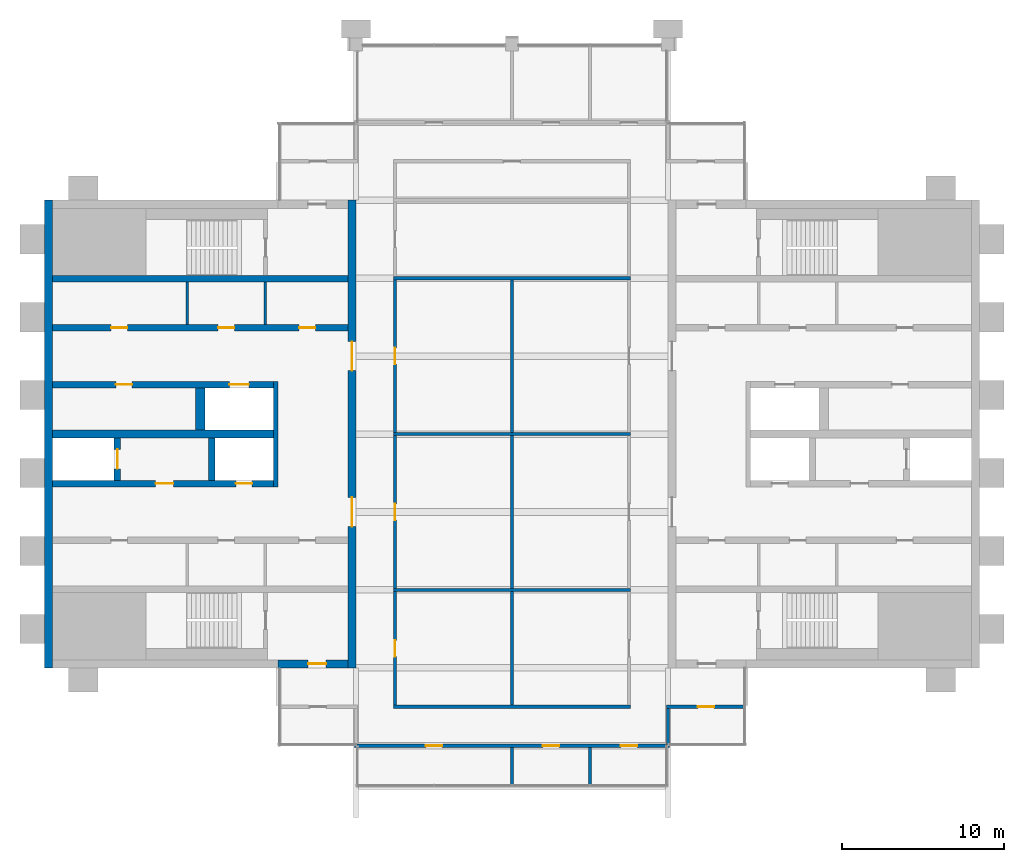
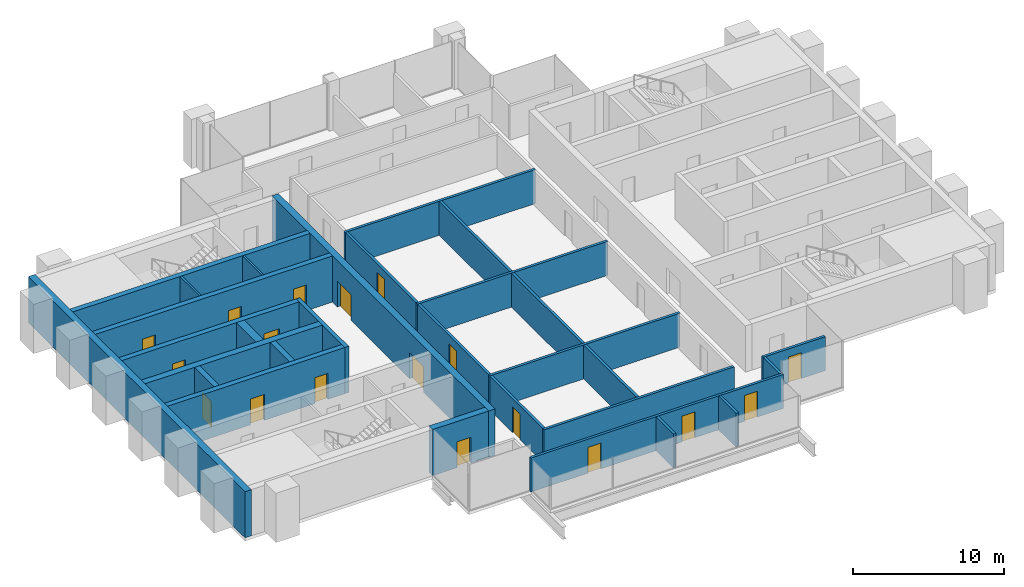
# One storey, part 8 of 12: 29 walls, 18 doors, 18 openings.
"""IFC4 building model written with IfcOpenShell, lengths in metres."""

from ifc_helpers import new_model, si_unit, direction, frame, frame_2d, origin, place, context, subcontext, project, spatial, rectangle, extrude, material, layer, layer_set, type_object, element, fill, save


model = new_model("IFC4")

# Units and contexts
model_context = context("Model", 3, precision=1e-05, world=origin(), true_north=direction((0.0, 1.0)))
body_context = subcontext(model_context, "Body", "Model", "MODEL_VIEW")
ifc_project = project(units=[si_unit("LENGTHUNIT", "METRE"), si_unit("AREAUNIT", "SQUARE_METRE"), si_unit("VOLUMEUNIT", "CUBIC_METRE"), si_unit("PLANEANGLEUNIT", "RADIAN"), si_unit("MASSUNIT", "GRAM", prefix="KILO")], contexts=[model_context])

# Site, building, storey
site_placement = place(None, origin())
site = spatial("IfcSite", under=ifc_project, at=site_placement, CompositionType="ELEMENT")
building_placement = place(site_placement, origin())
building = spatial("IfcBuilding", under=site, at=building_placement, Name="Baori Bourse Tower", CompositionType="ELEMENT")
storey_placement = place(building_placement, frame((0.0, 0.0, 362.300048828125)))
storey = spatial("IfcBuildingStorey", under=building, at=storey_placement, Name="L81", CompositionType="ELEMENT", Elevation=362.300048828125)

# Walls
ifc_material_1 = material(Name="Blockwork partition", Category="masonry")
ifc_layer_1 = layer(ifc_material_1, 0.14990234375)
ifc_layer_set_1 = layer_set([ifc_layer_1], Name="Core partition 150")
wall_type_1 = type_object("IfcWallType", Name="Core partition 150", PredefinedType="PARTITIONING", material=ifc_layer_set_1)
for number, where, z_axis, x_axis, name in (
    (1, (8.800048828125, 30.75, 0.0), (0.0, 0.0, 1.0), (0.0, 1.0, 0.0), "Partition wall W20"),
    (2, (13.60009765625, 30.75, 0.0), (0.0, 0.0, 1.0), (0.0, 1.0, 0.0), "Partition wall W21"),
):
    element("IfcWall", number, at=place(storey_placement, frame(where, z_axis=z_axis, x_axis=x_axis)), inside=storey, type_object=wall_type_1, Name=name, PredefinedType="PARTITIONING", context=body_context, shape_type="SweptSolid", body=[
        extrude(rectangle(XDim=2.60009765625, YDim=0.14990234375, at=frame_2d((1.300048828125, 0.0))), origin(), (0.0, 0.0, 1.0), 3.75),
    ])
ifc_material_2 = material(Name="Concrete f'c 40 MPa", Category="concrete")
ifc_layer_2 = layer(ifc_material_2, 0.5)
ifc_layer_set_2 = layer_set([ifc_layer_2], Name="Core wall 500 f'c 40")
wall_type_2 = type_object("IfcWallType", Name="Core wall 500 f'c 40", PredefinedType="SHEAR", material=ifc_layer_set_2)
wall_1_placement = place(storey_placement, frame((0.25, 9.60009765625, 0.0), z_axis=(0.0, 0.0, 1.0), x_axis=(0.0, 1.0, 0.0)))
element("IfcWall", 3, at=wall_1_placement, inside=storey, type_object=wall_type_2, Name="Core wall W01", PredefinedType="SHEAR", context=body_context, shape_type="SweptSolid", body=[
    extrude(rectangle(XDim=28.7998046875, YDim=0.5, at=frame_2d((14.39990234375, 0.0))), origin(), (0.0, 0.0, 1.0), 3.75),
])

# Wall, opening, door
wall_2_placement = place(storey_placement, frame((18.699951171875, 9.85009765625, 0.0), z_axis=(0.0, 0.0, 1.0), x_axis=(-1.0, 0.0, 0.0)))
wall_2 = element("IfcWall", 4, at=wall_2_placement, inside=storey, type_object=wall_type_2, Name="Core wall W03", PredefinedType="SHEAR", context=body_context, shape_type="SweptSolid", body=[
    extrude(rectangle(XDim=4.300048828125, YDim=0.5, at=frame_2d((2.14990234375, 0.0))), origin(), (0.0, 0.0, 1.0), 3.75),
])
opening_1_placement = place(wall_2_placement, frame((1.35009765625, 0.0, 0.0)))
opening_1 = element("IfcOpeningElement", 5, at=opening_1_placement, cuts=wall_2, Name="Opening L81-D102", PredefinedType="OPENING", context=body_context, shape_type="SweptSolid", body=[
    extrude(rectangle(XDim=1.10009765625, YDim=2.10009765625, at=frame_2d((0.550048828125, 1.050048828125))), frame((0.0, 0.260009765625, 0.0), z_axis=(0.0, -1.0, 0.0), x_axis=(1.0, 0.0, 0.0)), (0.0, 0.0, 1.0), 0.52001953125),
])
ifc_material_3 = material(Name="Painted steel door", Category="steel")
door_type_1 = type_object("IfcDoorType", Name="Stair door 1100", OperationType="SINGLE_SWING_LEFT", PredefinedType="DOOR", material=ifc_material_3)
door_1_placement = place(opening_1_placement, origin())
door_1 = element("IfcDoor", 6, at=door_1_placement, inside=storey, type_object=door_type_1, Name="Stair vestibule door A W L81", OperationType="SINGLE_SWING_LEFT", OverallHeight=2.10009765625, OverallWidth=1.10009765625, PredefinedType="DOOR", context=body_context, shape_type="SweptSolid", body=[
    extrude(rectangle(XDim=1.10009765625, YDim=2.10009765625, at=frame_2d((0.550048828125, 1.050048828125))), frame((0.0, 0.02490234375, 0.0), z_axis=(0.0, -1.0, 0.0), x_axis=(1.0, 0.0, 0.0)), (0.0, 0.0, 1.0), 0.050048828125),
])
fill(opening_1, door_1)

# Wall, openings, doors
wall_3_placement = place(storey_placement, frame((18.949951171875, 38.39990234375, 0.0), z_axis=(0.0, 0.0, 1.0), x_axis=(0.0, -1.0, 0.0)))
wall_3 = element("IfcWall", 7, at=wall_3_placement, inside=storey, type_object=wall_type_2, Name="Core wall W04", PredefinedType="SHEAR", context=body_context, shape_type="SweptSolid", body=[
    extrude(rectangle(XDim=28.7998046875, YDim=0.5, at=frame_2d((14.39990234375, 0.0))), origin(), (0.0, 0.0, 1.0), 3.75),
])
opening_2_placement = place(wall_3_placement, frame((18.300048828125, 0.0, 0.0)))
opening_2 = element("IfcOpeningElement", 8, at=opening_2_placement, cuts=wall_3, Name="Opening L81-D107", PredefinedType="OPENING", context=body_context, shape_type="SweptSolid", body=[
    extrude(rectangle(XDim=1.800048828125, YDim=2.10009765625, at=frame_2d((0.89990234375, 1.050048828125))), frame((0.0, 0.260009765625, 0.0), z_axis=(0.0, -1.0, 0.0), x_axis=(1.0, 0.0, 0.0)), (0.0, 0.0, 1.0), 0.52001953125),
])
opening_3_placement = place(wall_3_placement, frame((8.699951171875, 0.0, 0.0)))
opening_3 = element("IfcOpeningElement", 9, at=opening_3_placement, cuts=wall_3, Name="Opening L81-D108", PredefinedType="OPENING", context=body_context, shape_type="SweptSolid", body=[
    extrude(rectangle(XDim=1.800048828125, YDim=2.10009765625, at=frame_2d((0.89990234375, 1.050048828125))), frame((0.0, 0.260009765625, 0.0), z_axis=(0.0, -1.0, 0.0), x_axis=(1.0, 0.0, 0.0)), (0.0, 0.0, 1.0), 0.52001953125),
])
ifc_material_4 = material(Name="Painted steel door", Category="steel")
door_type_2 = type_object("IfcDoorType", Name="Core lobby door 1800", OperationType="DOUBLE_DOOR_SINGLE_SWING", PredefinedType="DOOR", material=ifc_material_4)
door_2_placement = place(opening_2_placement, origin())
door_2 = element("IfcDoor", 10, at=door_2_placement, inside=storey, type_object=door_type_2, Name="Lobby door W L81", OperationType="DOUBLE_DOOR_SINGLE_SWING", OverallHeight=2.10009765625, OverallWidth=1.800048828125, PredefinedType="DOOR", context=body_context, shape_type="SweptSolid", body=[
    extrude(rectangle(XDim=1.800048828125, YDim=2.10009765625, at=frame_2d((0.89990234375, 1.050048828125))), frame((0.0, 0.02490234375, 0.0), z_axis=(0.0, -1.0, 0.0), x_axis=(1.0, 0.0, 0.0)), (0.0, 0.0, 1.0), 0.050048828125),
])
fill(opening_2, door_2)
door_3_placement = place(opening_3_placement, origin())
door_3 = element("IfcDoor", 11, at=door_3_placement, inside=storey, type_object=door_type_2, Name="Lobby door W L81", OperationType="DOUBLE_DOOR_SINGLE_SWING", OverallHeight=2.10009765625, OverallWidth=1.800048828125, PredefinedType="DOOR", context=body_context, shape_type="SweptSolid", body=[
    extrude(rectangle(XDim=1.800048828125, YDim=2.10009765625, at=frame_2d((0.89990234375, 1.050048828125))), frame((0.0, 0.02490234375, 0.0), z_axis=(0.0, -1.0, 0.0), x_axis=(1.0, 0.0, 0.0)), (0.0, 0.0, 1.0), 0.050048828125),
])
fill(opening_3, door_3)

ifc_material_5 = material(Name="Gypsum board partition")
ifc_layer_3 = layer(ifc_material_5, 0.199951171875)
ifc_layer_set_3 = layer_set([ifc_layer_3], Name="Plant room wall 200")
wall_type_3 = type_object("IfcWallType", Name="Plant room wall 200", PredefinedType="PARTITIONING", material=ifc_layer_set_3)
wall_4_placement = place(storey_placement, frame((19.10009765625, 4.800048828125, 0.0), z_axis=(0.0, 0.0, 1.0), x_axis=(1.0, 0.0, 0.0)))
wall_4 = element("IfcWall", 12, at=wall_4_placement, inside=storey, type_object=wall_type_3, Name="Partition", PredefinedType="PARTITIONING", context=body_context, shape_type="SweptSolid", body=[
    extrude(rectangle(XDim=19.39990234375, YDim=0.199951171875, at=frame_2d((9.699951171875, 0.0))), origin(), (0.0, 0.0, 1.0), 2.75927734375),
])
opening_4_placement = place(wall_4_placement, frame((4.39990234375, 0.0, 0.0)))
opening_4 = element("IfcOpeningElement", 13, at=opening_4_placement, cuts=wall_4, Name="Opening L81-D01", PredefinedType="OPENING", context=body_context, shape_type="SweptSolid", body=[
    extrude(rectangle(XDim=1.0, YDim=2.10009765625, at=frame_2d((0.5, 1.050048828125))), frame((0.0, 0.10986328125, 0.0), z_axis=(0.0, -1.0, 0.0), x_axis=(1.0, 0.0, 0.0)), (0.0, 0.0, 1.0), 0.219970703125),
])
opening_5_placement = place(wall_4_placement, frame((11.60009765625, 0.0, 0.0)))
opening_5 = element("IfcOpeningElement", 14, at=opening_5_placement, cuts=wall_4, Name="Opening L81-D02", PredefinedType="OPENING", context=body_context, shape_type="SweptSolid", body=[
    extrude(rectangle(XDim=1.0, YDim=2.10009765625, at=frame_2d((0.5, 1.050048828125))), frame((0.0, 0.10986328125, 0.0), z_axis=(0.0, -1.0, 0.0), x_axis=(1.0, 0.0, 0.0)), (0.0, 0.0, 1.0), 0.219970703125),
])
opening_6_placement = place(wall_4_placement, frame((16.39990234375, 0.0, 0.0)))
opening_6 = element("IfcOpeningElement", 15, at=opening_6_placement, cuts=wall_4, Name="Opening L81-D03", PredefinedType="OPENING", context=body_context, shape_type="SweptSolid", body=[
    extrude(rectangle(XDim=1.0, YDim=2.10009765625, at=frame_2d((0.5, 1.050048828125))), frame((0.0, 0.10986328125, 0.0), z_axis=(0.0, -1.0, 0.0), x_axis=(1.0, 0.0, 0.0)), (0.0, 0.0, 1.0), 0.219970703125),
])
ifc_material_6 = material(Name="Timber door leaf", Category="wood")
door_type_3 = type_object("IfcDoorType", Name="Door 1000 x 2100", OperationType="SINGLE_SWING_LEFT", PredefinedType="DOOR", material=ifc_material_6)
door_4_placement = place(opening_4_placement, origin())
door_4 = element("IfcDoor", 16, at=door_4_placement, inside=storey, type_object=door_type_3, Name="Door", OperationType="SINGLE_SWING_LEFT", OverallHeight=2.10009765625, OverallWidth=1.0, PredefinedType="DOOR", context=body_context, shape_type="SweptSolid", body=[
    extrude(rectangle(XDim=1.0, YDim=2.10009765625, at=frame_2d((0.5, 1.050048828125))), frame((0.0, 0.02490234375, 0.0), z_axis=(0.0, -1.0, 0.0), x_axis=(1.0, 0.0, 0.0)), (0.0, 0.0, 1.0), 0.050048828125),
])
fill(opening_4, door_4)
door_5_placement = place(opening_5_placement, origin())
door_5 = element("IfcDoor", 17, at=door_5_placement, inside=storey, type_object=door_type_3, Name="Door", OperationType="SINGLE_SWING_RIGHT", OverallHeight=2.10009765625, OverallWidth=1.0, PredefinedType="DOOR", context=body_context, shape_type="SweptSolid", body=[
    extrude(rectangle(XDim=1.0, YDim=2.10009765625, at=frame_2d((0.5, 1.050048828125))), frame((0.0, 0.02490234375, 0.0), z_axis=(0.0, -1.0, 0.0), x_axis=(1.0, 0.0, 0.0)), (0.0, 0.0, 1.0), 0.050048828125),
])
fill(opening_5, door_5)
door_6_placement = place(opening_6_placement, origin())
door_6 = element("IfcDoor", 18, at=door_6_placement, inside=storey, type_object=door_type_3, Name="Door", OperationType="SINGLE_SWING_RIGHT", OverallHeight=2.10009765625, OverallWidth=1.0, PredefinedType="DOOR", context=body_context, shape_type="SweptSolid", body=[
    extrude(rectangle(XDim=1.0, YDim=2.10009765625, at=frame_2d((0.5, 1.050048828125))), frame((0.0, 0.02490234375, 0.0), z_axis=(0.0, -1.0, 0.0), x_axis=(1.0, 0.0, 0.0)), (0.0, 0.0, 1.0), 0.050048828125),
])
fill(opening_6, door_6)

# Wall
wall_5_placement = place(storey_placement, frame((21.5, 7.199951171875, 0.0), z_axis=(0.0, 0.0, 1.0), x_axis=(1.0, 0.0, 0.0)))
element("IfcWall", 19, at=wall_5_placement, inside=storey, type_object=wall_type_3, Name="Partition", PredefinedType="PARTITIONING", context=body_context, shape_type="SweptSolid", body=[
    extrude(rectangle(XDim=14.60009765625, YDim=0.199951171875, at=frame_2d((7.300048828125, 0.0))), origin(), (0.0, 0.0, 1.0), 2.75927734375),
])

# Wall, opening, door
wall_6_placement = place(storey_placement, frame((38.300048828125, 7.199951171875, 0.0), z_axis=(0.0, 0.0, 1.0), x_axis=(1.0, 0.0, 0.0)))
wall_6 = element("IfcWall", 20, at=wall_6_placement, inside=storey, type_object=wall_type_3, Name="Partition", PredefinedType="PARTITIONING", context=body_context, shape_type="SweptSolid", body=[
    extrude(rectangle(XDim=4.800048828125, YDim=0.199951171875, at=frame_2d((2.39990234375, 0.0))), origin(), (0.0, 0.0, 1.0), 2.75927734375),
])
opening_7_placement = place(wall_6_placement, frame((1.949951171875, 0.0, 0.0)))
opening_7 = element("IfcOpeningElement", 21, at=opening_7_placement, cuts=wall_6, Name="Opening L81-D05", PredefinedType="OPENING", context=body_context, shape_type="SweptSolid", body=[
    extrude(rectangle(XDim=1.0, YDim=2.10009765625, at=frame_2d((0.5, 1.050048828125))), frame((0.0, 0.10986328125, 0.0), z_axis=(0.0, -1.0, 0.0), x_axis=(1.0, 0.0, 0.0)), (0.0, 0.0, 1.0), 0.219970703125),
])
door_7_placement = place(opening_7_placement, origin())
door_7 = element("IfcDoor", 22, at=door_7_placement, inside=storey, type_object=door_type_3, Name="Door", OperationType="SINGLE_SWING_RIGHT", OverallHeight=2.10009765625, OverallWidth=1.0, PredefinedType="DOOR", context=body_context, shape_type="SweptSolid", body=[
    extrude(rectangle(XDim=1.0, YDim=2.10009765625, at=frame_2d((0.5, 1.050048828125))), frame((0.0, 0.02490234375, 0.0), z_axis=(0.0, -1.0, 0.0), x_axis=(1.0, 0.0, 0.0)), (0.0, 0.0, 1.0), 0.050048828125),
])
fill(opening_7, door_7)

# Walls
for number, where, z_axis, x_axis, name in (
    (23, (21.5, 14.39990234375, 0.0), (0.0, 0.0, 1.0), (1.0, 0.0, 0.0), "Partition"),
    (24, (21.5, 24.0, 0.0), (0.0, 0.0, 1.0), (1.0, 0.0, 0.0), "Partition"),
    (25, (21.5, 33.60009765625, 0.0), (0.0, 0.0, 1.0), (1.0, 0.0, 0.0), "Partition"),
):
    element("IfcWall", number, at=place(storey_placement, frame(where, z_axis=z_axis, x_axis=x_axis)), inside=storey, type_object=wall_type_3, Name=name, PredefinedType="PARTITIONING", context=body_context, shape_type="SweptSolid", body=[
        extrude(rectangle(XDim=14.60009765625, YDim=0.199951171875, at=frame_2d((7.300048828125, 0.0))), origin(), (0.0, 0.0, 1.0), 2.75927734375),
    ])

# Wall, opening, door
wall_7_placement = place(storey_placement, frame((21.60009765625, 7.300048828125, 0.0), z_axis=(0.0, 0.0, 1.0), x_axis=(0.0, 1.0, 0.0)))
wall_7 = element("IfcWall", 26, at=wall_7_placement, inside=storey, type_object=wall_type_3, Name="Partition", PredefinedType="PARTITIONING", context=body_context, shape_type="SweptSolid", body=[
    extrude(rectangle(XDim=7.0, YDim=0.199951171875, at=frame_2d((3.5, 0.0))), origin(), (0.0, 0.0, 1.0), 2.75927734375),
])
opening_8_placement = place(wall_7_placement, frame((3.0, 0.0, 0.0)))
opening_8 = element("IfcOpeningElement", 27, at=opening_8_placement, cuts=wall_7, Name="Opening L81-D12", PredefinedType="OPENING", context=body_context, shape_type="SweptSolid", body=[
    extrude(rectangle(XDim=1.0, YDim=2.10009765625, at=frame_2d((0.5, 1.050048828125))), frame((0.0, 0.10986328125, 0.0), z_axis=(0.0, -1.0, 0.0), x_axis=(1.0, 0.0, 0.0)), (0.0, 0.0, 1.0), 0.219970703125),
])
door_8_placement = place(opening_8_placement, origin())
door_8 = element("IfcDoor", 28, at=door_8_placement, inside=storey, type_object=door_type_3, Name="Door", OperationType="SINGLE_SWING_RIGHT", OverallHeight=2.10009765625, OverallWidth=1.0, PredefinedType="DOOR", context=body_context, shape_type="SweptSolid", body=[
    extrude(rectangle(XDim=1.0, YDim=2.10009765625, at=frame_2d((0.5, 1.050048828125))), frame((0.0, 0.02490234375, 0.0), z_axis=(0.0, -1.0, 0.0), x_axis=(1.0, 0.0, 0.0)), (0.0, 0.0, 1.0), 0.050048828125),
])
fill(opening_8, door_8)

wall_8_placement = place(storey_placement, frame((21.60009765625, 14.5, 0.0), z_axis=(0.0, 0.0, 1.0), x_axis=(0.0, 1.0, 0.0)))
wall_8 = element("IfcWall", 29, at=wall_8_placement, inside=storey, type_object=wall_type_3, Name="Partition", PredefinedType="PARTITIONING", context=body_context, shape_type="SweptSolid", body=[
    extrude(rectangle(XDim=9.39990234375, YDim=0.199951171875, at=frame_2d((4.699951171875, 0.0))), origin(), (0.0, 0.0, 1.0), 2.75927734375),
])
opening_9_placement = place(wall_8_placement, frame((4.199951171875, 0.0, 0.0)))
opening_9 = element("IfcOpeningElement", 30, at=opening_9_placement, cuts=wall_8, Name="Opening L81-D13", PredefinedType="OPENING", context=body_context, shape_type="SweptSolid", body=[
    extrude(rectangle(XDim=1.0, YDim=2.10009765625, at=frame_2d((0.5, 1.050048828125))), frame((0.0, 0.10986328125, 0.0), z_axis=(0.0, -1.0, 0.0), x_axis=(1.0, 0.0, 0.0)), (0.0, 0.0, 1.0), 0.219970703125),
])
door_9_placement = place(opening_9_placement, origin())
door_9 = element("IfcDoor", 31, at=door_9_placement, inside=storey, type_object=door_type_3, Name="Door", OperationType="SINGLE_SWING_LEFT", OverallHeight=2.10009765625, OverallWidth=1.0, PredefinedType="DOOR", context=body_context, shape_type="SweptSolid", body=[
    extrude(rectangle(XDim=1.0, YDim=2.10009765625, at=frame_2d((0.5, 1.050048828125))), frame((0.0, 0.02490234375, 0.0), z_axis=(0.0, -1.0, 0.0), x_axis=(1.0, 0.0, 0.0)), (0.0, 0.0, 1.0), 0.050048828125),
])
fill(opening_9, door_9)

wall_9_placement = place(storey_placement, frame((21.60009765625, 24.10009765625, 0.0), z_axis=(0.0, 0.0, 1.0), x_axis=(0.0, 1.0, 0.0)))
wall_9 = element("IfcWall", 32, at=wall_9_placement, inside=storey, type_object=wall_type_3, Name="Partition", PredefinedType="PARTITIONING", context=body_context, shape_type="SweptSolid", body=[
    extrude(rectangle(XDim=9.39990234375, YDim=0.199951171875, at=frame_2d((4.699951171875, 0.0))), origin(), (0.0, 0.0, 1.0), 2.75927734375),
])
opening_10_placement = place(wall_9_placement, frame((4.199951171875, 0.0, 0.0)))
opening_10 = element("IfcOpeningElement", 33, at=opening_10_placement, cuts=wall_9, Name="Opening L81-D14", PredefinedType="OPENING", context=body_context, shape_type="SweptSolid", body=[
    extrude(rectangle(XDim=1.0, YDim=2.10009765625, at=frame_2d((0.5, 1.050048828125))), frame((0.0, 0.10986328125, 0.0), z_axis=(0.0, -1.0, 0.0), x_axis=(1.0, 0.0, 0.0)), (0.0, 0.0, 1.0), 0.219970703125),
])
door_10_placement = place(opening_10_placement, origin())
door_10 = element("IfcDoor", 34, at=door_10_placement, inside=storey, type_object=door_type_3, Name="Door", OperationType="SINGLE_SWING_LEFT", OverallHeight=2.10009765625, OverallWidth=1.0, PredefinedType="DOOR", context=body_context, shape_type="SweptSolid", body=[
    extrude(rectangle(XDim=1.0, YDim=2.10009765625, at=frame_2d((0.5, 1.050048828125))), frame((0.0, 0.02490234375, 0.0), z_axis=(0.0, -1.0, 0.0), x_axis=(1.0, 0.0, 0.0)), (0.0, 0.0, 1.0), 0.050048828125),
])
fill(opening_10, door_10)

# Walls
wall_10_placement = place(storey_placement, frame((28.800048828125, 2.37158203125, 0.0), z_axis=(0.0, 0.0, 1.0), x_axis=(0.0, 1.0, 0.0)))
element("IfcWall", 35, at=wall_10_placement, inside=storey, type_object=wall_type_3, Name="Partition", PredefinedType="PARTITIONING", context=body_context, shape_type="SweptSolid", body=[
    extrude(rectangle(XDim=2.328369140625, YDim=0.199951171875, at=frame_2d((1.1640625, 0.0))), origin(), (0.0, 0.0, 1.0), 2.75927734375),
])
wall_11_placement = place(storey_placement, frame((28.800048828125, 7.300048828125, 0.0), z_axis=(0.0, 0.0, 1.0), x_axis=(0.0, 1.0, 0.0)))
element("IfcWall", 36, at=wall_11_placement, inside=storey, type_object=wall_type_3, Name="Partition", PredefinedType="PARTITIONING", context=body_context, shape_type="SweptSolid", body=[
    extrude(rectangle(XDim=7.0, YDim=0.199951171875, at=frame_2d((3.5, 0.0))), origin(), (0.0, 0.0, 1.0), 2.75927734375),
])
for number, where, z_axis, x_axis, name in (
    (37, (28.800048828125, 14.5, 0.0), (0.0, 0.0, 1.0), (0.0, 1.0, 0.0), "Partition"),
    (38, (28.800048828125, 24.10009765625, 0.0), (0.0, 0.0, 1.0), (0.0, 1.0, 0.0), "Partition"),
):
    element("IfcWall", number, at=place(storey_placement, frame(where, z_axis=z_axis, x_axis=x_axis)), inside=storey, type_object=wall_type_3, Name=name, PredefinedType="PARTITIONING", context=body_context, shape_type="SweptSolid", body=[
        extrude(rectangle(XDim=9.39990234375, YDim=0.199951171875, at=frame_2d((4.699951171875, 0.0))), origin(), (0.0, 0.0, 1.0), 2.75927734375),
    ])
wall_12_placement = place(storey_placement, frame((33.60009765625, 2.37158203125, 0.0), z_axis=(0.0, 0.0, 1.0), x_axis=(0.0, 1.0, 0.0)))
element("IfcWall", 39, at=wall_12_placement, inside=storey, type_object=wall_type_3, Name="Partition", PredefinedType="PARTITIONING", context=body_context, shape_type="SweptSolid", body=[
    extrude(rectangle(XDim=2.328369140625, YDim=0.199951171875, at=frame_2d((1.1640625, 0.0))), origin(), (0.0, 0.0, 1.0), 2.75927734375),
])
wall_13_placement = place(storey_placement, frame((38.39990234375, 4.89990234375, 0.0), z_axis=(0.0, 0.0, 1.0), x_axis=(0.0, 1.0, 0.0)))
element("IfcWall", 40, at=wall_13_placement, inside=storey, type_object=wall_type_3, Name="Partition", PredefinedType="PARTITIONING", context=body_context, shape_type="SweptSolid", body=[
    extrude(rectangle(XDim=2.2001953125, YDim=0.199951171875, at=frame_2d((1.10009765625, 0.0))), origin(), (0.0, 0.0, 1.0), 2.75927734375),
])
ifc_material_7 = material(Name="Concrete f'c 40 MPa", Category="concrete")
ifc_layer_4 = layer(ifc_material_7, 0.300048828125)
ifc_layer_set_4 = layer_set([ifc_layer_4], Name="Shaft wall 300 f'c 40")
wall_type_4 = type_object("IfcWallType", Name="Shaft wall 300 f'c 40", PredefinedType="SHEAR", material=ifc_layer_set_4)
wall_14_placement = place(storey_placement, frame((14.25, 20.75, 0.0), z_axis=(0.0, 0.0, 1.0), x_axis=(0.0, 1.0, 0.0)))
element("IfcWall", 41, at=wall_14_placement, inside=storey, type_object=wall_type_4, Name="Core wall W13", PredefinedType="SHEAR", context=body_context, shape_type="SweptSolid", body=[
    extrude(rectangle(XDim=6.5, YDim=0.300048828125, at=frame_2d((3.25, 0.0))), origin(), (0.0, 0.0, 1.0), 3.75),
])

# Wall, openings, doors
ifc_material_8 = material(Name="Concrete f'c 40 MPa", Category="concrete")
ifc_layer_5 = layer(ifc_material_8, 0.39990234375)
ifc_layer_set_5 = layer_set([ifc_layer_5], Name="Shaft wall 400 f'c 40")
wall_type_5 = type_object("IfcWallType", Name="Shaft wall 400 f'c 40", PredefinedType="SHEAR", material=ifc_layer_set_5)
wall_15_placement = place(storey_placement, frame((0.5, 20.949951171875, 0.0), z_axis=(0.0, 0.0, 1.0), x_axis=(1.0, 0.0, 0.0)))
wall_15 = element("IfcWall", 42, at=wall_15_placement, inside=storey, type_object=wall_type_5, Name="Core wall W12", PredefinedType="SHEAR", context=body_context, shape_type="SweptSolid", body=[
    extrude(rectangle(XDim=13.60009765625, YDim=0.39990234375, at=frame_2d((6.800048828125, 0.0))), origin(), (0.0, 0.0, 1.0), 3.75),
])
opening_11_placement = place(wall_15_placement, frame((6.35009765625, 0.0, 0.0)))
opening_11 = element("IfcOpeningElement", 43, at=opening_11_placement, cuts=wall_15, Name="Opening L81-D105", PredefinedType="OPENING", context=body_context, shape_type="SweptSolid", body=[
    extrude(rectangle(XDim=1.10009765625, YDim=2.10009765625, at=frame_2d((0.550048828125, 1.050048828125))), frame((0.0, 0.2099609375, 0.0), z_axis=(0.0, -1.0, 0.0), x_axis=(1.0, 0.0, 0.0)), (0.0, 0.0, 1.0), 0.419921875),
])
opening_12_placement = place(wall_15_placement, frame((11.300048828125, 0.0, 0.0)))
opening_12 = element("IfcOpeningElement", 44, at=opening_12_placement, cuts=wall_15, Name="Opening L81-D106", PredefinedType="OPENING", context=body_context, shape_type="SweptSolid", body=[
    extrude(rectangle(XDim=1.0, YDim=2.10009765625, at=frame_2d((0.5, 1.050048828125))), frame((0.0, 0.2099609375, 0.0), z_axis=(0.0, -1.0, 0.0), x_axis=(1.0, 0.0, 0.0)), (0.0, 0.0, 1.0), 0.419921875),
])
ifc_material_9 = material(Name="Painted steel door", Category="steel")
door_type_4 = type_object("IfcDoorType", Name="Lobby door 1100", OperationType="SINGLE_SWING_LEFT", PredefinedType="DOOR", material=ifc_material_9)
door_11_placement = place(opening_11_placement, origin())
door_11 = element("IfcDoor", 45, at=door_11_placement, inside=storey, type_object=door_type_4, Name="Firefighting lobby door W L81", OperationType="SINGLE_SWING_LEFT", OverallHeight=2.10009765625, OverallWidth=1.10009765625, PredefinedType="DOOR", context=body_context, shape_type="SweptSolid", body=[
    extrude(rectangle(XDim=1.10009765625, YDim=2.10009765625, at=frame_2d((0.550048828125, 1.050048828125))), frame((0.0, 0.02490234375, 0.0), z_axis=(0.0, -1.0, 0.0), x_axis=(1.0, 0.0, 0.0)), (0.0, 0.0, 1.0), 0.050048828125),
])
fill(opening_11, door_11)
ifc_material_10 = material(Name="Painted steel door", Category="steel")
door_type_5 = type_object("IfcDoorType", Name="Shaft door 1000", OperationType="SINGLE_SWING_LEFT", PredefinedType="DOOR", material=ifc_material_10)
door_12_placement = place(opening_12_placement, origin())
door_12 = element("IfcDoor", 46, at=door_12_placement, inside=storey, type_object=door_type_5, Name="Riser room door W L81", OperationType="SINGLE_SWING_LEFT", OverallHeight=2.10009765625, OverallWidth=1.0, PredefinedType="DOOR", context=body_context, shape_type="SweptSolid", body=[
    extrude(rectangle(XDim=1.0, YDim=2.10009765625, at=frame_2d((0.5, 1.050048828125))), frame((0.0, 0.02490234375, 0.0), z_axis=(0.0, -1.0, 0.0), x_axis=(1.0, 0.0, 0.0)), (0.0, 0.0, 1.0), 0.050048828125),
])
fill(opening_12, door_12)

# Wall, opening, door
wall_16_placement = place(storey_placement, frame((4.5, 21.14990234375, 0.0), z_axis=(0.0, 0.0, 1.0), x_axis=(0.0, 1.0, 0.0)))
wall_16 = element("IfcWall", 47, at=wall_16_placement, inside=storey, type_object=wall_type_5, Name="Core wall W14", PredefinedType="SHEAR", context=body_context, shape_type="SweptSolid", body=[
    extrude(rectangle(XDim=2.60009765625, YDim=0.39990234375, at=frame_2d((1.300048828125, 0.0))), origin(), (0.0, 0.0, 1.0), 3.75),
])
opening_13_placement = place(wall_16_placement, frame((0.699951171875, 0.0, 0.0)))
opening_13 = element("IfcOpeningElement", 48, at=opening_13_placement, cuts=wall_16, Name="Opening L81-D117", PredefinedType="OPENING", context=body_context, shape_type="SweptSolid", body=[
    extrude(rectangle(XDim=1.199951171875, YDim=2.10009765625, at=frame_2d((0.60009765625, 1.050048828125))), frame((0.0, 0.2099609375, 0.0), z_axis=(0.0, -1.0, 0.0), x_axis=(1.0, 0.0, 0.0)), (0.0, 0.0, 1.0), 0.419921875),
])
ifc_material_11 = material(Name="Stainless steel door", Category="steel")
door_type_6 = type_object("IfcDoorType", Name="Lift landing door", OperationType="DOUBLE_DOOR_SLIDING", PredefinedType="DOOR", material=ifc_material_11)
door_13_placement = place(opening_13_placement, origin())
door_13 = element("IfcDoor", 49, at=door_13_placement, inside=storey, type_object=door_type_6, Name="Lift landing door FF1 W L81", OperationType="DOUBLE_DOOR_SLIDING", OverallHeight=2.10009765625, OverallWidth=1.199951171875, PredefinedType="DOOR", context=body_context, shape_type="SweptSolid", body=[
    extrude(rectangle(XDim=1.199951171875, YDim=2.10009765625, at=frame_2d((0.60009765625, 1.050048828125))), frame((0.0, 0.02490234375, 0.0), z_axis=(0.0, -1.0, 0.0), x_axis=(1.0, 0.0, 0.0)), (0.0, 0.0, 1.0), 0.050048828125),
])
fill(opening_13, door_13)

# Wall
wall_17_placement = place(storey_placement, frame((10.300048828125, 21.14990234375, 0.0), z_axis=(0.0, 0.0, 1.0), x_axis=(0.0, 1.0, 0.0)))
element("IfcWall", 50, at=wall_17_placement, inside=storey, type_object=wall_type_5, Name="Core wall W15", PredefinedType="SHEAR", context=body_context, shape_type="SweptSolid", body=[
    extrude(rectangle(XDim=2.60009765625, YDim=0.39990234375, at=frame_2d((1.300048828125, 0.0))), origin(), (0.0, 0.0, 1.0), 3.75),
])

# Wall, openings, doors
wall_18_placement = place(storey_placement, frame((0.5, 27.050048828125, 0.0), z_axis=(0.0, 0.0, 1.0), x_axis=(1.0, 0.0, 0.0)))
wall_18 = element("IfcWall", 51, at=wall_18_placement, inside=storey, type_object=wall_type_5, Name="Core wall W18", PredefinedType="SHEAR", context=body_context, shape_type="SweptSolid", body=[
    extrude(rectangle(XDim=13.60009765625, YDim=0.39990234375, at=frame_2d((6.800048828125, 0.0))), origin(), (0.0, 0.0, 1.0), 3.75),
])
opening_14_placement = place(wall_18_placement, frame((3.89990234375, 0.0, 0.0)))
opening_14 = element("IfcOpeningElement", 52, at=opening_14_placement, cuts=wall_18, Name="Opening L81-D115", PredefinedType="OPENING", context=body_context, shape_type="SweptSolid", body=[
    extrude(rectangle(XDim=1.0, YDim=2.10009765625, at=frame_2d((0.5, 1.050048828125))), frame((0.0, 0.2099609375, 0.0), z_axis=(0.0, -1.0, 0.0), x_axis=(1.0, 0.0, 0.0)), (0.0, 0.0, 1.0), 0.419921875),
])
opening_15_placement = place(wall_18_placement, frame((10.89990234375, 0.0, 0.0)))
opening_15 = element("IfcOpeningElement", 53, at=opening_15_placement, cuts=wall_18, Name="Opening L81-D116", PredefinedType="OPENING", context=body_context, shape_type="SweptSolid", body=[
    extrude(rectangle(XDim=1.199951171875, YDim=2.10009765625, at=frame_2d((0.60009765625, 1.050048828125))), frame((0.0, 0.2099609375, 0.0), z_axis=(0.0, -1.0, 0.0), x_axis=(1.0, 0.0, 0.0)), (0.0, 0.0, 1.0), 0.419921875),
])
door_14_placement = place(opening_15_placement, origin())
door_14 = element("IfcDoor", 54, at=door_14_placement, inside=storey, type_object=door_type_6, Name="Lift landing door SV1 W L81", OperationType="DOUBLE_DOOR_SLIDING", OverallHeight=2.10009765625, OverallWidth=1.199951171875, PredefinedType="DOOR", context=body_context, shape_type="SweptSolid", body=[
    extrude(rectangle(XDim=1.199951171875, YDim=2.10009765625, at=frame_2d((0.60009765625, 1.050048828125))), frame((0.0, 0.02490234375, 0.0), z_axis=(0.0, -1.0, 0.0), x_axis=(1.0, 0.0, 0.0)), (0.0, 0.0, 1.0), 0.050048828125),
])
fill(opening_15, door_14)
ifc_material_12 = material(Name="Painted steel door", Category="steel")
door_type_7 = type_object("IfcDoorType", Name="Plant room door 1000", OperationType="SINGLE_SWING_LEFT", PredefinedType="DOOR", material=ifc_material_12)
door_15_placement = place(opening_14_placement, origin())
door_15 = element("IfcDoor", 55, at=door_15_placement, inside=storey, type_object=door_type_7, Name="Plant Room door W L81", OperationType="SINGLE_SWING_LEFT", OverallHeight=2.10009765625, OverallWidth=1.0, PredefinedType="DOOR", context=body_context, shape_type="SweptSolid", body=[
    extrude(rectangle(XDim=1.0, YDim=2.10009765625, at=frame_2d((0.5, 1.050048828125))), frame((0.0, 0.02490234375, 0.0), z_axis=(0.0, -1.0, 0.0), x_axis=(1.0, 0.0, 0.0)), (0.0, 0.0, 1.0), 0.050048828125),
])
fill(opening_14, door_15)

wall_19_placement = place(storey_placement, frame((0.5, 30.550048828125, 0.0), z_axis=(0.0, 0.0, 1.0), x_axis=(1.0, 0.0, 0.0)))
wall_19 = element("IfcWall", 56, at=wall_19_placement, inside=storey, type_object=wall_type_5, Name="Core wall W19", PredefinedType="SHEAR", context=body_context, shape_type="SweptSolid", body=[
    extrude(rectangle(XDim=18.199951171875, YDim=0.39990234375, at=frame_2d((9.10009765625, 0.0))), origin(), (0.0, 0.0, 1.0), 3.75),
])
opening_16_placement = place(wall_19_placement, frame((3.612548828125, 0.0, 0.0)))
opening_16 = element("IfcOpeningElement", 57, at=opening_16_placement, cuts=wall_19, Name="Opening L81-D109", PredefinedType="OPENING", context=body_context, shape_type="SweptSolid", body=[
    extrude(rectangle(XDim=1.0, YDim=2.10009765625, at=frame_2d((0.5, 1.050048828125))), frame((0.0, 0.2099609375, 0.0), z_axis=(0.0, -1.0, 0.0), x_axis=(1.0, 0.0, 0.0)), (0.0, 0.0, 1.0), 0.419921875),
])
opening_17_placement = place(wall_19_placement, frame((10.199951171875, 0.0, 0.0)))
opening_17 = element("IfcOpeningElement", 58, at=opening_17_placement, cuts=wall_19, Name="Opening L81-D110", PredefinedType="OPENING", context=body_context, shape_type="SweptSolid", body=[
    extrude(rectangle(XDim=1.0, YDim=2.10009765625, at=frame_2d((0.5, 1.050048828125))), frame((0.0, 0.2099609375, 0.0), z_axis=(0.0, -1.0, 0.0), x_axis=(1.0, 0.0, 0.0)), (0.0, 0.0, 1.0), 0.419921875),
])
opening_18_placement = place(wall_19_placement, frame((15.1875, 0.0, 0.0)))
opening_18 = element("IfcOpeningElement", 59, at=opening_18_placement, cuts=wall_19, Name="Opening L81-D111", PredefinedType="OPENING", context=body_context, shape_type="SweptSolid", body=[
    extrude(rectangle(XDim=1.0, YDim=2.10009765625, at=frame_2d((0.5, 1.050048828125))), frame((0.0, 0.2099609375, 0.0), z_axis=(0.0, -1.0, 0.0), x_axis=(1.0, 0.0, 0.0)), (0.0, 0.0, 1.0), 0.419921875),
])
door_16_placement = place(opening_16_placement, origin())
door_16 = element("IfcDoor", 60, at=door_16_placement, inside=storey, type_object=door_type_7, Name="Air Handling Fan Room door W L81", OperationType="SINGLE_SWING_LEFT", OverallHeight=2.10009765625, OverallWidth=1.0, PredefinedType="DOOR", context=body_context, shape_type="SweptSolid", body=[
    extrude(rectangle(XDim=1.0, YDim=2.10009765625, at=frame_2d((0.5, 1.050048828125))), frame((0.0, 0.02490234375, 0.0), z_axis=(0.0, -1.0, 0.0), x_axis=(1.0, 0.0, 0.0)), (0.0, 0.0, 1.0), 0.050048828125),
])
fill(opening_16, door_16)
door_17_placement = place(opening_17_placement, origin())
door_17 = element("IfcDoor", 61, at=door_17_placement, inside=storey, type_object=door_type_7, Name="Electrical Room door W L81", OperationType="SINGLE_SWING_LEFT", OverallHeight=2.10009765625, OverallWidth=1.0, PredefinedType="DOOR", context=body_context, shape_type="SweptSolid", body=[
    extrude(rectangle(XDim=1.0, YDim=2.10009765625, at=frame_2d((0.5, 1.050048828125))), frame((0.0, 0.02490234375, 0.0), z_axis=(0.0, -1.0, 0.0), x_axis=(1.0, 0.0, 0.0)), (0.0, 0.0, 1.0), 0.050048828125),
])
fill(opening_17, door_17)
door_18_placement = place(opening_18_placement, origin())
door_18 = element("IfcDoor", 62, at=door_18_placement, inside=storey, type_object=door_type_7, Name="Mechanical Room door W L81", OperationType="SINGLE_SWING_LEFT", OverallHeight=2.10009765625, OverallWidth=1.0, PredefinedType="DOOR", context=body_context, shape_type="SweptSolid", body=[
    extrude(rectangle(XDim=1.0, YDim=2.10009765625, at=frame_2d((0.5, 1.050048828125))), frame((0.0, 0.02490234375, 0.0), z_axis=(0.0, -1.0, 0.0), x_axis=(1.0, 0.0, 0.0)), (0.0, 0.0, 1.0), 0.050048828125),
])
fill(opening_18, door_18)

# Walls
wall_20_placement = place(storey_placement, frame((0.5, 33.550048828125, 0.0), z_axis=(0.0, 0.0, 1.0), x_axis=(1.0, 0.0, 0.0)))
element("IfcWall", 63, at=wall_20_placement, inside=storey, type_object=wall_type_5, Name="Core wall W22", PredefinedType="SHEAR", context=body_context, shape_type="SweptSolid", body=[
    extrude(rectangle(XDim=18.199951171875, YDim=0.39990234375, at=frame_2d((9.10009765625, 0.0))), origin(), (0.0, 0.0, 1.0), 3.75),
])
ifc_material_13 = material(Name="Concrete f'c 40 MPa", Category="concrete")
ifc_layer_6 = layer(ifc_material_13, 0.5)
ifc_layer_set_6 = layer_set([ifc_layer_6], Name="Shaft wall 500 f'c 40")
wall_type_6 = type_object("IfcWallType", Name="Shaft wall 500 f'c 40", PredefinedType="SHEAR", material=ifc_layer_set_6)
wall_21_placement = place(storey_placement, frame((0.5, 24.0, 0.0), z_axis=(0.0, 0.0, 1.0), x_axis=(1.0, 0.0, 0.0)))
element("IfcWall", 64, at=wall_21_placement, inside=storey, type_object=wall_type_6, Name="Core wall W16", PredefinedType="SHEAR", context=body_context, shape_type="SweptSolid", body=[
    extrude(rectangle(XDim=13.60009765625, YDim=0.5, at=frame_2d((6.800048828125, 0.0))), origin(), (0.0, 0.0, 1.0), 3.75),
])
ifc_material_14 = material(Name="Concrete f'c 40 MPa", Category="concrete")
ifc_layer_7 = layer(ifc_material_14, 0.60009765625)
ifc_layer_set_7 = layer_set([ifc_layer_7], Name="Shaft wall 600 f'c 40")
wall_type_7 = type_object("IfcWallType", Name="Shaft wall 600 f'c 40", PredefinedType="SHEAR", material=ifc_layer_set_7)
wall_22_placement = place(storey_placement, frame((9.60009765625, 24.25, 0.0), z_axis=(0.0, 0.0, 1.0), x_axis=(0.0, 1.0, 0.0)))
element("IfcWall", 65, at=wall_22_placement, inside=storey, type_object=wall_type_7, Name="Core wall W17", PredefinedType="SHEAR", context=body_context, shape_type="SweptSolid", body=[
    extrude(rectangle(XDim=2.60009765625, YDim=0.60009765625, at=frame_2d((1.300048828125, 0.0))), origin(), (0.0, 0.0, 1.0), 3.75),
])

save(model, "model.ifc")
